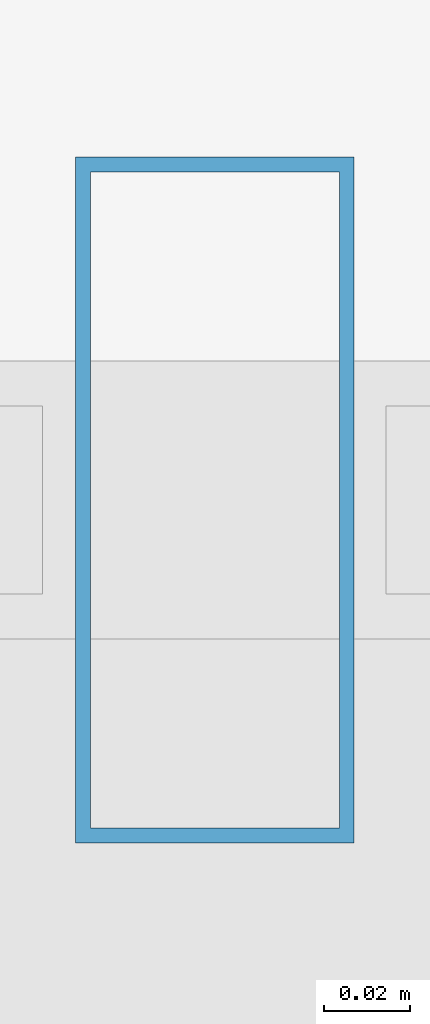
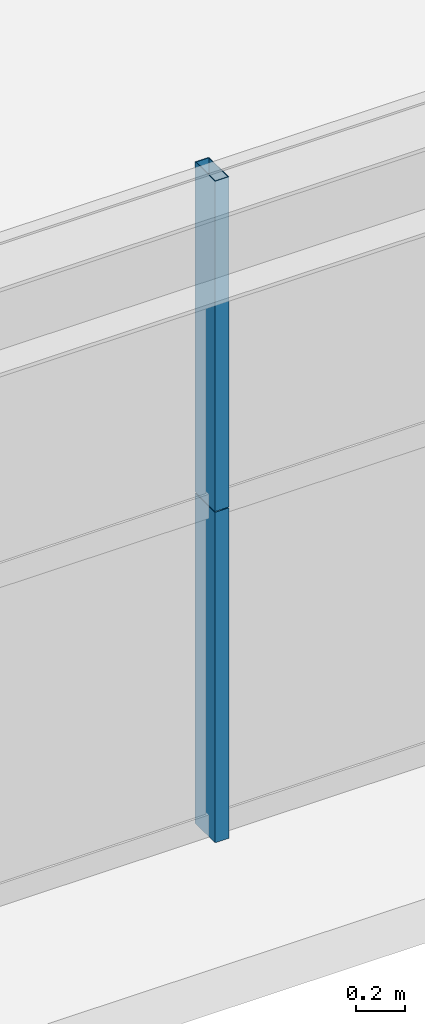
# One storey, part 6 of 38: 2 members, 1 element without a shape of its own.
"""IFC4 building model written with IfcOpenShell, lengths in metres."""

import ifcopenshell
import ifcopenshell.guid

model = None  # the IFC model being written
_history = None  # IfcOwnerHistory: only IFC2X3 demands one
_inside = {}  # id of a spatial element -> (the spatial element, [elements in it])
_under = {}  # id of a project, library or spatial element -> (it, [spatial elements below it])
_declared = {}  # id of a project -> (the project, [libraries it declares])
_typed = {}  # id of a type object -> (the type object, [elements of that type])
_made_of = {}  # id of a material, layer set ... -> (it, [elements and type objects made of it])


def new_model(schema):
    """Start an empty IFC model of exactly this schema.

    Asked for "IFC4X3", IfcOpenShell would pick the latest addendum, in which some entities
    have other attributes; the version numbers below select the first issue.
    IFC2X3 requires an IfcOwnerHistory on every rooted entity: one is made here for all.
    """
    global model, _history
    if schema == "IFC4X3":
        model = ifcopenshell.file(schema_version=(4, 3, 0, 0))
    else:
        model = ifcopenshell.file(schema=schema)
    _inside.clear()
    _under.clear()
    _declared.clear()
    _typed.clear()
    _made_of.clear()
    _history = None
    if model.schema == "IFC2X3":
        org = make("IfcOrganization", Name="unknown")
        user = make(
            "IfcPersonAndOrganization",
            ThePerson=make("IfcPerson", FamilyName="unknown"),
            TheOrganization=org,
        )
        app = make(
            "IfcApplication",
            ApplicationDeveloper=org,
            Version="unknown",
            ApplicationFullName="unknown",
            ApplicationIdentifier="unknown",
        )
        _history = make(
            "IfcOwnerHistory",
            OwningUser=user,
            OwningApplication=app,
            ChangeAction="ADDED",
            CreationDate=0,
        )
    return model


def make(cls, **values):
    """One entity of the class cls with the attributes given. An attribute that is None is left unset."""
    return model.create_entity(
        cls, **{name: value for name, value in values.items() if value is not None}
    )


def rooted(cls, **values):
    """An entity with a GlobalId (a new one), such as an element, a storey or a relation."""
    return make(cls, GlobalId=ifcopenshell.guid.new(), OwnerHistory=_history, **values)


def si_unit(unit_type, name, prefix=None):
    """IfcSIUnit, for example si_unit("LENGTHUNIT", "METRE", prefix="MILLI")."""
    return make("IfcSIUnit", UnitType=unit_type, Prefix=prefix, Name=name)


def assignment(units):
    """IfcUnitAssignment: the units of a project."""
    return None if units is None else make("IfcUnitAssignment", Units=units)


def point(xyz):
    """IfcCartesianPoint."""
    return None if xyz is None else make("IfcCartesianPoint", Coordinates=xyz)


def direction(xyz):
    """IfcDirection."""
    return None if xyz is None else make("IfcDirection", DirectionRatios=xyz)


def frame(location, z_axis=None, x_axis=None):
    """IfcAxis2Placement3D, a coordinate frame: its origin and axes. An axis left out is left unset."""
    return make(
        "IfcAxis2Placement3D",
        Location=point(location),
        Axis=direction(z_axis),
        RefDirection=direction(x_axis),
    )


def frame_2d(location, x_axis=None):
    """IfcAxis2Placement2D, a coordinate frame in the plane: its origin and x axis."""
    return make(
        "IfcAxis2Placement2D", Location=point(location), RefDirection=direction(x_axis)
    )


def origin():
    """The frame at (0, 0, 0) with its axes left unset."""
    return frame((0.0, 0.0, 0.0))


def origin_2d():
    """The frame at (0, 0) in the plane with its x axis left unset."""
    return frame_2d((0.0, 0.0))


def place(relative_to, where):
    """IfcLocalPlacement: puts the frame where relative to a parent placement (None: the world)."""
    return make(
        "IfcLocalPlacement", PlacementRelTo=relative_to, RelativePlacement=where
    )


def context(
    kind, dimensions, precision=None, world=None, true_north=None, identifier=None
):
    """IfcGeometricRepresentationContext, for example the 3D "Model" context."""
    return make(
        "IfcGeometricRepresentationContext",
        ContextIdentifier=identifier,
        ContextType=kind,
        CoordinateSpaceDimension=dimensions,
        Precision=precision,
        WorldCoordinateSystem=world,
        TrueNorth=true_north,
    )


def subcontext(parent, identifier, kind, view, scale=None):
    """IfcGeometricRepresentationSubContext, for example "Body" below "Model"."""
    return make(
        "IfcGeometricRepresentationSubContext",
        ContextIdentifier=identifier,
        ContextType=kind,
        ParentContext=parent,
        TargetScale=scale,
        TargetView=view,
    )


def project(units=None, contexts=None):
    """IfcProject with its units and contexts."""
    return rooted(
        "IfcProject",
        Name="project",
        RepresentationContexts=contexts,
        UnitsInContext=assignment(units),
    )


def spatial(cls, under=None, at=None, **own):
    """A site, building, storey or space (cls), placed at a placement, below another one or the project."""
    s = rooted(cls, ObjectPlacement=at, **own)
    if under is not None:
        _under.setdefault(under.id(), (under, []))[1].append(s)
    return s


def profile(cls, at=None, kind="AREA", **sizes):
    """A parametric profile (cls). Its sizes go by their IFC names, for example OverallWidth=200.0."""
    return make(cls, ProfileType=kind, Position=at, **sizes)


def hollow_rectangle(**sizes):
    """IfcRectangleHollowProfileDef."""
    return profile("IfcRectangleHollowProfileDef", **sizes)


def extrude(swept, where, along, depth):
    """IfcExtrudedAreaSolid: the profile swept, set in the frame where, extruded along a direction by depth."""
    return make(
        "IfcExtrudedAreaSolid",
        SweptArea=swept,
        Position=where,
        ExtrudedDirection=direction(along),
        Depth=depth,
    )


def shape(context_of_items, identifier, shape_type, items):
    """IfcShapeRepresentation: the items that make up one representation, for example the "Body"."""
    return make(
        "IfcShapeRepresentation",
        ContextOfItems=context_of_items,
        RepresentationIdentifier=identifier,
        RepresentationType=shape_type,
        Items=items,
    )


def source(mapping_origin, context_of_items, identifier, shape_type, items):
    """IfcRepresentationMap: a shape defined once, which mapped items show again and again."""
    return make(
        "IfcRepresentationMap",
        MappingOrigin=mapping_origin,
        MappedRepresentation=shape(context_of_items, identifier, shape_type, items),
    )


def transform(
    local_origin,
    x_axis=None,
    y_axis=None,
    z_axis=None,
    scale=None,
    scale2=None,
    scale3=None,
    uniform=True,
):
    """IfcCartesianTransformationOperator3D, or its non-uniform kind. x_axis, y_axis, z_axis: its Axis1, 2, 3."""
    if uniform:
        return make(
            "IfcCartesianTransformationOperator3D",
            Axis1=direction(x_axis),
            Axis2=direction(y_axis),
            LocalOrigin=point(local_origin),
            Scale=scale,
            Axis3=direction(z_axis),
        )
    return make(
        "IfcCartesianTransformationOperator3DnonUniform",
        Axis1=direction(x_axis),
        Axis2=direction(y_axis),
        LocalOrigin=point(local_origin),
        Scale=scale,
        Axis3=direction(z_axis),
        Scale2=scale2,
        Scale3=scale3,
    )


def mapped(mapping_source, mapping_target):
    """IfcMappedItem: shows the shape of a source again, moved by a transform."""
    return make(
        "IfcMappedItem", MappingSource=mapping_source, MappingTarget=mapping_target
    )


def material(Name=None, Category=None):
    """IfcMaterial."""
    return make("IfcMaterial", Name=Name, Category=Category)


def layer(
    of_material, thickness, ventilated=None, Name=None, Category=None, Priority=None
):
    """IfcMaterialLayer: one layer of a wall or slab, of a material (None: an air gap)."""
    return make(
        "IfcMaterialLayer",
        Material=of_material,
        LayerThickness=thickness,
        IsVentilated=ventilated,
        Name=Name,
        Category=Category,
        Priority=Priority,
    )


def layer_set(layers, Name=None):
    """IfcMaterialLayerSet."""
    return make("IfcMaterialLayerSet", MaterialLayers=layers, LayerSetName=Name)


def material_profile(
    of_material, cross_section, Name=None, Category=None, Priority=None
):
    """IfcMaterialProfile: a cross section and its material."""
    return make(
        "IfcMaterialProfile",
        Name=Name,
        Material=of_material,
        Profile=cross_section,
        Priority=Priority,
        Category=Category,
    )


def profile_set(profiles, Name=None, composite=None):
    """IfcMaterialProfileSet."""
    return make(
        "IfcMaterialProfileSet",
        Name=Name,
        MaterialProfiles=profiles,
        CompositeProfile=composite,
    )


def made_of(thing, what):
    """Note that an element or type object is made of a material, layer set ...; save() writes the relation."""
    if what is not None:
        _made_of.setdefault(what.id(), (what, []))[1].append(thing)
    return thing


def type_object(cls, material=None, **own):
    """A type object (cls), such as IfcWallType, which elements share."""
    return made_of(rooted(cls, **own), material)


def element(
    cls,
    number,
    at=None,
    inside=None,
    cuts=None,
    type_object=None,
    material=None,
    context=None,
    identifier="Body",
    shape_type=None,
    held_by="IfcProductDefinitionShape",
    body=None,
    shapes=None,
    **own,
):
    """One element of the class cls, such as IfcWall. Its Tag is "e" and its number.

    at: its placement. inside: the storey or other place that contains it. cuts: it is an
    opening in that element (IfcRelVoidsElement). A single representation is given by context,
    identifier, shape_type and body (its items); several are given by shapes. held_by: the class
    of the entity that holds the representations. save() writes the other relations.
    """
    e = rooted(cls, Tag="e%d" % number, ObjectPlacement=at, **own)
    if body is not None:
        shapes = [shape(context, identifier, shape_type, body)]
    if shapes is not None:
        e.Representation = make(held_by, Representations=shapes)
    if inside is not None:
        _inside.setdefault(inside.id(), (inside, []))[1].append(e)
    if cuts is not None:
        rooted(
            "IfcRelVoidsElement", RelatingBuildingElement=cuts, RelatedOpeningElement=e
        )
    if type_object is not None:
        _typed.setdefault(type_object.id(), (type_object, []))[1].append(e)
    return made_of(e, material)


def aggregate(whole, parts):
    """IfcRelAggregates: a whole, such as a stair, and the parts it consists of."""
    return rooted("IfcRelAggregates", RelatingObject=whole, RelatedObjects=parts)


def save(model, path):
    """Write the relations noted so far, then the file.

    IfcRelAggregates (storeys below a building ...), IfcRelContainedInSpatialStructure (elements
    in a storey), IfcRelDefinesByType, IfcRelAssociatesMaterial and IfcRelDeclares: one each for
    every whole, place, type object, material and project.
    """
    for whole, parts in _under.values():
        aggregate(whole, parts)
    for where, things in _inside.values():
        rooted(
            "IfcRelContainedInSpatialStructure",
            RelatedElements=things,
            RelatingStructure=where,
        )
    for kind, things in _typed.values():
        rooted("IfcRelDefinesByType", RelatedObjects=things, RelatingType=kind)
    for what, things in _made_of.values():
        rooted("IfcRelAssociatesMaterial", RelatedObjects=things, RelatingMaterial=what)
    for by, libraries in _declared.values():
        rooted("IfcRelDeclares", RelatingContext=by, RelatedDefinitions=libraries)
    model.write(path)


model = new_model("IFC4")

# Units and contexts
model_context = context("Model", 3, precision=1e-05, world=origin(), true_north=direction((0.0, 1.0)))
body_context = subcontext(model_context, "Body", "Model", "MODEL_VIEW")
ifc_project = project(units=[si_unit("LENGTHUNIT", "METRE"), si_unit("AREAUNIT", "SQUARE_METRE"), si_unit("VOLUMEUNIT", "CUBIC_METRE"), si_unit("PLANEANGLEUNIT", "RADIAN"), si_unit("MASSUNIT", "GRAM", prefix="KILO"), si_unit("THERMODYNAMICTEMPERATUREUNIT", "KELVIN"), si_unit("POWERUNIT", "WATT")], contexts=[model_context])

# Site, building, storey
site_placement = place(None, origin())
site = spatial("IfcSite", under=ifc_project, at=site_placement, CompositionType="ELEMENT")
building_placement = place(site_placement, origin())
building = spatial("IfcBuilding", under=site, at=building_placement, Name="Yuzanri Waterfront Tower", CompositionType="ELEMENT")
storey_placement = place(building_placement, frame((0.0, 0.0, 188.0)))
storey = spatial("IfcBuildingStorey", under=building, at=storey_placement, Name="L49", CompositionType="ELEMENT", Elevation=188.0)

# Curtain wall, members
ifc_material_1 = material(Name="Anodized Architectural Bronze", Category="metal")
ifc_layer = layer(ifc_material_1, 0.159912109375)
ifc_layer_set = layer_set([ifc_layer], Name="Anodized Architectural Bronze")
curtain_wall_type = type_object("IfcCurtainWallType", Name="Anodized Bronze Mid-Rise Residential Acoustic Unitized Curtain Wall 7200", PredefinedType="NOTDEFINED", material=ifc_layer_set)
curtain_wall_placement = place(storey_placement, origin())
curtain_wall = element("IfcCurtainWall", 1, at=curtain_wall_placement, inside=storey, type_object=curtain_wall_type, Name="L49 Curtain Wall CW-L49-SL", PredefinedType="NOTDEFINED")
ifc_material_2 = material(Name="Anodized Architectural Bronze", Category="metal")
ifc_material_profile = material_profile(ifc_material_2, hollow_rectangle(XDim=0.06494140625, YDim=0.159912109375, WallThickness=0.00341796875, at=origin_2d()), Name="CWM 65x160")
ifc_profile_set = profile_set([ifc_material_profile], Name="Anodized Architectural Bronze")
member_type = type_object("IfcMemberType", Name="Anodized Bronze Upper-Zone Curtain-Wall Mullion 65x160", PredefinedType="MULLION", material=ifc_profile_set)
shared_shape = source(origin(), body_context, "Body", "SweptSolid", [
    extrude(hollow_rectangle(XDim=0.06494140625, YDim=0.159912109375, WallThickness=0.00341796875, at=origin_2d()), origin(), (0.0, 0.0, 1.0), 1.637939453125),
])
member_1_placement = place(storey_placement, frame((29.425048828125, 3.85009765625, 0.0), z_axis=(0.0, 0.0, 1.0), x_axis=(1.0, 0.0, 0.0)))
member_1 = element("IfcMember", 2, at=member_1_placement, type_object=member_type, Name="CW-L49-SL Lower Mullion 01", PredefinedType="MULLION", context=body_context, shape_type="MappedRepresentation", body=[
    mapped(shared_shape, transform((0.0, 0.0, 0.0), scale=1.0)),
])
member_2_placement = place(storey_placement, frame((29.425048828125, 3.85009765625, 1.64208984375), z_axis=(0.0, 0.0, 1.0), x_axis=(1.0, 0.0, 0.0)))
member_2 = element("IfcMember", 3, at=member_2_placement, type_object=member_type, Name="CW-L49-SL Upper Mullion 01", PredefinedType="MULLION", context=body_context, shape_type="MappedRepresentation", body=[
    mapped(shared_shape, transform((0.0, 0.0, 0.0), scale=1.0)),
])
aggregate(curtain_wall, [member_1, member_2])

save(model, "model.ifc")
